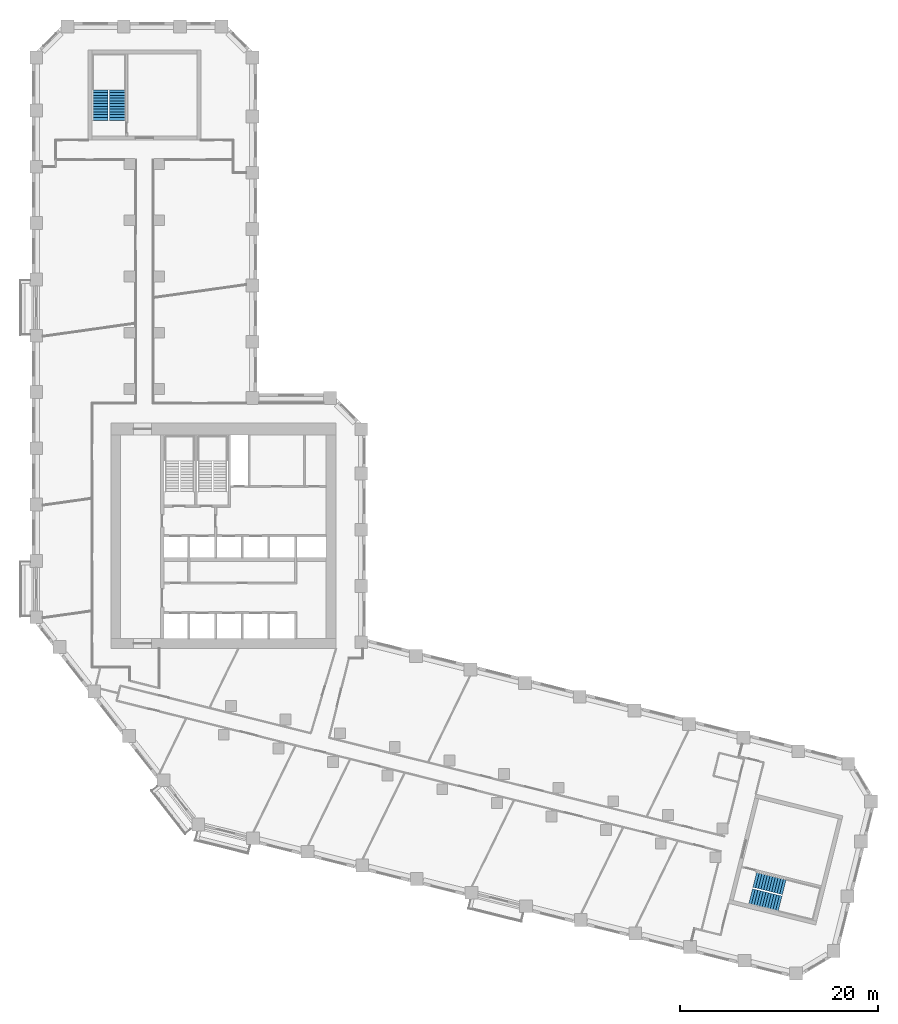
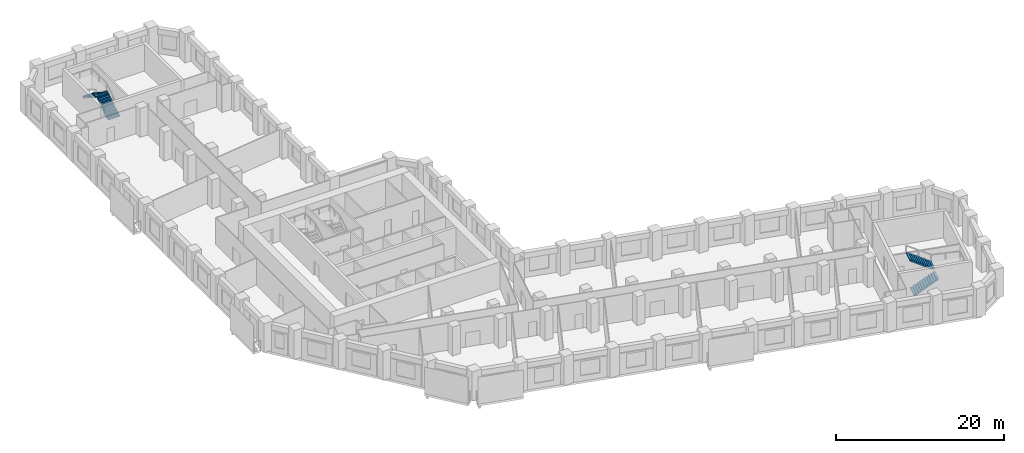
# One storey, part 10 of 11: 4 stair flights, 2 elements without a shape of their own.
"""IFC4 building model written with IfcOpenShell, lengths in metres."""

from ifc_helpers import new_model, si_unit, direction, frame, origin, place, context, subcontext, project, spatial, polyline, outline, extrude, material, type_object, element, aggregate, save


model = new_model("IFC4")

# Units and contexts
model_context = context("Model", 3, precision=1e-05, world=origin(), true_north=direction((0.0, 1.0)))
body_context = subcontext(model_context, "Body", "Model", "MODEL_VIEW")
ifc_project = project(units=[si_unit("LENGTHUNIT", "METRE"), si_unit("AREAUNIT", "SQUARE_METRE"), si_unit("VOLUMEUNIT", "CUBIC_METRE"), si_unit("PLANEANGLEUNIT", "RADIAN"), si_unit("MASSUNIT", "GRAM", prefix="KILO")], contexts=[model_context])

# Site, building, storey
site_placement = place(None, origin())
site = spatial("IfcSite", under=ifc_project, at=site_placement, CompositionType="ELEMENT")
building_placement = place(site_placement, origin())
building = spatial("IfcBuilding", under=site, at=building_placement, Name="Meshkara Civic Tower", CompositionType="ELEMENT")
storey_placement = place(building_placement, frame((0.0, 0.0, 101.39990234375)))
storey = spatial("IfcBuildingStorey", under=building, at=storey_placement, Name="L22", CompositionType="ELEMENT", Elevation=101.39990234375)

# Stair, stair flights
ifc_material_1 = material(Name="Precast concrete C40/50", Category="concrete")
stair_type = type_object("IfcStairType", Name="Exit stair half-turn 24 risers 1600 precast", PredefinedType="HALF_TURN_STAIR", material=ifc_material_1)
stair_1_placement = place(storey_placement, origin())
stair_1 = element("IfcStair", 1, at=stair_1_placement, inside=storey, type_object=stair_type, Name="L22 exit stair A from L20", PredefinedType="HALF_TURN_STAIR")
ifc_material_2 = material(Name="Precast concrete C40/50", Category="concrete")
stair_flight_type = type_object("IfcStairFlightType", Name="Exit stair flight 12 risers 1600 precast", PredefinedType="STRAIGHT", material=ifc_material_2)
stair_flight_1_placement = place(storey_placement, frame((8.675048828125, 67.570068359375, 0.0), z_axis=(0.0, 0.0, 1.0), x_axis=(0.0, 1.0, 0.0)))
stair_flight_1 = element("IfcStairFlight", 2, at=stair_flight_1_placement, type_object=stair_flight_type, Name="ESA2 flight 1", NumberOfRisers=12, NumberOfTreads=11, PredefinedType="STRAIGHT", RiserHeight=0.175, TreadLength=0.28, context=body_context, shape_type="SweptSolid", body=[
    extrude(outline(polyline([(0.0, 0.0), (0.0, 0.175048828125), (0.280029296875, 0.175048828125), (0.280029296875, 0.35009765625), (0.56005859375, 0.35009765625), (0.56005859375, 0.52490234375), (0.840087890625, 0.52490234375), (0.840087890625, 0.699951171875), (1.1201171875, 0.699951171875), (1.1201171875, 0.875), (1.39990234375, 0.875), (1.39990234375, 1.050048828125), (1.679931640625, 1.050048828125), (1.679931640625, 1.22509765625), (1.9599609375, 1.22509765625), (1.9599609375, 1.39990234375), (2.239990234375, 1.39990234375), (2.239990234375, 1.574951171875), (2.52001953125, 1.574951171875), (2.52001953125, 1.75), (2.800048828125, 1.75), (2.800048828125, 1.925048828125), (3.080078125, 1.925048828125), (3.080078125, 2.10009765625), (3.080078125, 1.748291015625), (0.28271484375, 0.0), (0.0, 0.0)])), frame((0.0, 0.800048828125, 0.0), z_axis=(0.0, -1.0, 0.0), x_axis=(1.0, 0.0, 0.0)), (0.0, 0.0, 1.0), 1.60009765625),
])
stair_flight_2_placement = place(storey_placement, frame((6.925048828125, 70.64990234375, 2.10009765625), z_axis=(0.0, 0.0, 1.0), x_axis=(0.0, -1.0, 0.0)))
stair_flight_2 = element("IfcStairFlight", 3, at=stair_flight_2_placement, type_object=stair_flight_type, Name="ESA2 flight 2", NumberOfRisers=12, NumberOfTreads=11, PredefinedType="STRAIGHT", RiserHeight=0.175, TreadLength=0.28, context=body_context, shape_type="SweptSolid", body=[
    extrude(outline(polyline([(0.0, 0.0), (0.0, 0.175048828125), (0.280029296875, 0.175048828125), (0.280029296875, 0.35009765625), (0.56005859375, 0.35009765625), (0.56005859375, 0.52490234375), (0.840087890625, 0.52490234375), (0.840087890625, 0.699951171875), (1.1201171875, 0.699951171875), (1.1201171875, 0.875), (1.39990234375, 0.875), (1.39990234375, 1.050048828125), (1.679931640625, 1.050048828125), (1.679931640625, 1.22509765625), (1.9599609375, 1.22509765625), (1.9599609375, 1.39990234375), (2.239990234375, 1.39990234375), (2.239990234375, 1.574951171875), (2.52001953125, 1.574951171875), (2.52001953125, 1.75), (2.800048828125, 1.75), (2.800048828125, 1.925048828125), (3.080078125, 1.925048828125), (3.080078125, 2.10009765625), (3.080078125, 1.748291015625), (0.28271484375, 0.0), (0.0, 0.0)])), frame((0.0, 0.800048828125, 0.0), z_axis=(0.0, -1.0, 0.0), x_axis=(1.0, 0.0, 0.0)), (0.0, 0.0, 1.0), 1.60009765625),
])
aggregate(stair_1, [stair_flight_1, stair_flight_2])

stair_2_placement = place(storey_placement, origin())
stair_2 = element("IfcStair", 4, at=stair_2_placement, inside=storey, type_object=stair_type, Name="L22 exit stair B from L20", PredefinedType="HALF_TURN_STAIR")
stair_flight_3_placement = place(storey_placement, frame((72.7685546875, -11.00634765625, 0.0), z_axis=(0.0, 0.0, 1.0), x_axis=(0.970260066579, -0.242064873955, 0.0)))
stair_flight_3 = element("IfcStairFlight", 5, at=stair_flight_3_placement, type_object=stair_flight_type, Name="ESB2 flight 1", NumberOfRisers=12, NumberOfTreads=11, PredefinedType="STRAIGHT", RiserHeight=0.175, TreadLength=0.28, context=body_context, shape_type="SweptSolid", body=[
    extrude(outline(polyline([(0.0, 0.0), (0.0, 0.175048828125), (0.280029296875, 0.175048828125), (0.280029296875, 0.35009765625), (0.56005859375, 0.35009765625), (0.56005859375, 0.52490234375), (0.840087890625, 0.52490234375), (0.840087890625, 0.699951171875), (1.1201171875, 0.699951171875), (1.1201171875, 0.875), (1.39990234375, 0.875), (1.39990234375, 1.050048828125), (1.679931640625, 1.050048828125), (1.679931640625, 1.22509765625), (1.9599609375, 1.22509765625), (1.9599609375, 1.39990234375), (2.239990234375, 1.39990234375), (2.239990234375, 1.574951171875), (2.52001953125, 1.574951171875), (2.52001953125, 1.75), (2.800048828125, 1.75), (2.800048828125, 1.925048828125), (3.080078125, 1.925048828125), (3.080078125, 2.10009765625), (3.080078125, 1.748291015625), (0.28271484375, 0.0), (0.0, 0.0)])), frame((0.0, 0.800048828125, 0.0), z_axis=(0.0, -1.0, 0.0), x_axis=(1.0, 0.0, 0.0)), (0.0, 0.0, 1.0), 1.60009765625),
])
stair_flight_4_placement = place(storey_placement, frame((76.1806640625, -10.053955078125, 2.10009765625), z_axis=(0.0, 0.0, 1.0), x_axis=(-0.970260066579, 0.242064873955, 0.0)))
stair_flight_4 = element("IfcStairFlight", 6, at=stair_flight_4_placement, type_object=stair_flight_type, Name="ESB2 flight 2", NumberOfRisers=12, NumberOfTreads=11, PredefinedType="STRAIGHT", RiserHeight=0.175, TreadLength=0.28, context=body_context, shape_type="SweptSolid", body=[
    extrude(outline(polyline([(0.0, 0.0), (0.0, 0.175048828125), (0.280029296875, 0.175048828125), (0.280029296875, 0.35009765625), (0.56005859375, 0.35009765625), (0.56005859375, 0.52490234375), (0.840087890625, 0.52490234375), (0.840087890625, 0.699951171875), (1.1201171875, 0.699951171875), (1.1201171875, 0.875), (1.39990234375, 0.875), (1.39990234375, 1.050048828125), (1.679931640625, 1.050048828125), (1.679931640625, 1.22509765625), (1.9599609375, 1.22509765625), (1.9599609375, 1.39990234375), (2.239990234375, 1.39990234375), (2.239990234375, 1.574951171875), (2.52001953125, 1.574951171875), (2.52001953125, 1.75), (2.800048828125, 1.75), (2.800048828125, 1.925048828125), (3.080078125, 1.925048828125), (3.080078125, 2.10009765625), (3.080078125, 1.748291015625), (0.28271484375, 0.0), (0.0, 0.0)])), frame((0.0, 0.800048828125, 0.0), z_axis=(0.0, -1.0, 0.0), x_axis=(1.0, 0.0, 0.0)), (0.0, 0.0, 1.0), 1.60009765625),
])
aggregate(stair_2, [stair_flight_3, stair_flight_4])

save(model, "model.ifc")
